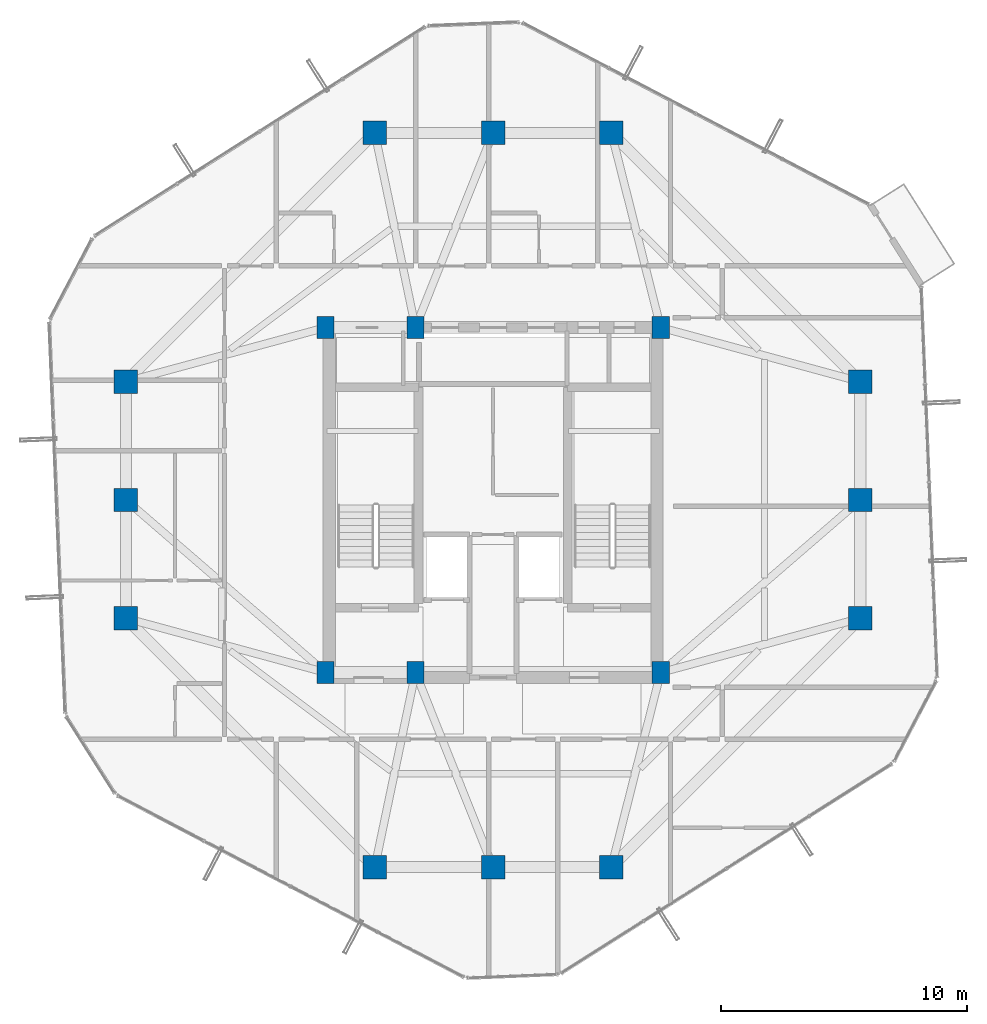
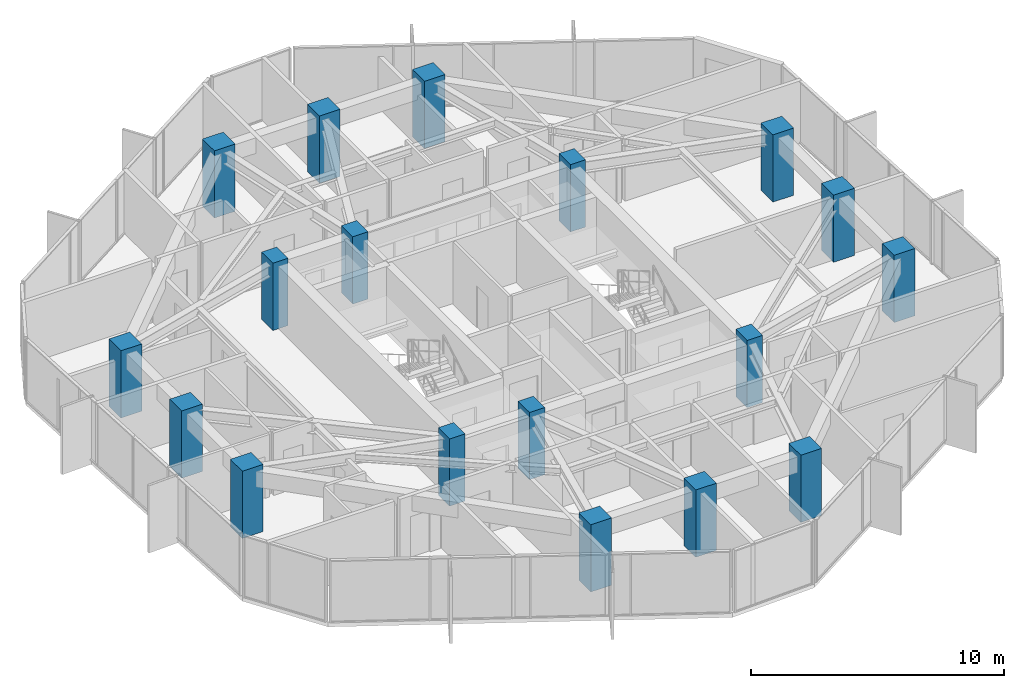
# One storey, part 1 of 33: 18 columns.
"""IFC4 building model written with IfcOpenShell, lengths in metres."""

from ifc_helpers import new_model, si_unit, direction, frame, origin, origin_2d, place, context, subcontext, project, spatial, rectangle, extrude, material, material_profile, profile_set, type_object, element, save


model = new_model("IFC4")

# Units and contexts
model_context = context("Model", 3, precision=1e-05, world=origin(), true_north=direction((0.0, 1.0)))
body_context = subcontext(model_context, "Body", "Model", "MODEL_VIEW")
ifc_project = project(units=[si_unit("LENGTHUNIT", "METRE"), si_unit("AREAUNIT", "SQUARE_METRE"), si_unit("VOLUMEUNIT", "CUBIC_METRE"), si_unit("PLANEANGLEUNIT", "RADIAN"), si_unit("MASSUNIT", "GRAM", prefix="KILO")], contexts=[model_context])

# Site, building, storey
site_placement = place(None, origin())
site = spatial("IfcSite", under=ifc_project, at=site_placement, CompositionType="ELEMENT")
building_placement = place(site_placement, origin())
building = spatial("IfcBuilding", under=site, at=building_placement, Name="Veraguas Prism Commons", CompositionType="ELEMENT")
storey_placement = place(building_placement, frame((0.0, 0.0, 198.35009765625)))
storey = spatial("IfcBuildingStorey", under=building, at=storey_placement, Name="L56", CompositionType="ELEMENT", Elevation=198.35009765625)

# Columns
ifc_material = material(Name="Concrete C50/60", Category="concrete")
ifc_material_profile_1 = material_profile(ifc_material, rectangle(XDim=0.949951171875, YDim=0.949951171875, at=origin_2d()), Name="RC950X950")
ifc_profile_set_1 = profile_set([ifc_material_profile_1], Name="Concrete C50/60")
column_type_1 = type_object("IfcColumnType", Name="Column Tube Z3 RC 950x950", PredefinedType="COLUMN", material=ifc_profile_set_1)
for number, where, z_axis, x_axis, name in (
    (1, (38.89990234375, 19.199951171875, 0.0), (0.0, 0.0, 1.0), (1.0, 0.0, 0.0), "Tower Perimeter Column L56-TB01"),
    (2, (38.89990234375, 24.0, 0.0), (0.0, 0.0, 1.0), (1.0, 0.0, 0.0), "Tower Perimeter Column L56-TB02"),
    (3, (38.89990234375, 28.800048828125, 0.0), (0.0, 0.0, 1.0), (1.0, 0.0, 0.0), "Tower Perimeter Column L56-TB03"),
    (4, (28.800048828125, 38.89990234375, 0.0), (0.0, 0.0, 1.0), (1.0, 0.0, 0.0), "Tower Perimeter Column L56-TB04"),
    (5, (24.0, 38.89990234375, 0.0), (0.0, 0.0, 1.0), (1.0, 0.0, 0.0), "Tower Perimeter Column L56-TB05"),
    (6, (19.199951171875, 38.89990234375, 0.0), (0.0, 0.0, 1.0), (1.0, 0.0, 0.0), "Tower Perimeter Column L56-TB06"),
    (7, (9.10009765625, 28.800048828125, 0.0), (0.0, 0.0, 1.0), (1.0, 0.0, 0.0), "Tower Perimeter Column L56-TB07"),
    (8, (9.10009765625, 24.0, 0.0), (0.0, 0.0, 1.0), (1.0, 0.0, 0.0), "Tower Perimeter Column L56-TB08"),
    (9, (9.10009765625, 19.199951171875, 0.0), (0.0, 0.0, 1.0), (1.0, 0.0, 0.0), "Tower Perimeter Column L56-TB09"),
    (10, (19.199951171875, 9.10009765625, 0.0), (0.0, 0.0, 1.0), (1.0, 0.0, 0.0), "Tower Perimeter Column L56-TB10"),
    (11, (24.0, 9.10009765625, 0.0), (0.0, 0.0, 1.0), (1.0, 0.0, 0.0), "Tower Perimeter Column L56-TB11"),
    (12, (28.800048828125, 9.10009765625, 0.0), (0.0, 0.0, 1.0), (1.0, 0.0, 0.0), "Tower Perimeter Column L56-TB12"),
):
    element("IfcColumn", number, at=place(storey_placement, frame(where, z_axis=z_axis, x_axis=x_axis)), inside=storey, type_object=column_type_1, Name=name, PredefinedType="COLUMN", context=body_context, shape_type="SweptSolid", body=[
        extrude(rectangle(XDim=0.949951171875, YDim=0.949951171875, at=origin_2d()), origin(), (0.0, 0.0, 1.0), 3.25),
    ])
ifc_material_profile_2 = material_profile(ifc_material, rectangle(XDim=0.699951171875, YDim=0.89990234375, at=origin_2d()), Name="RC700X900")
ifc_profile_set_2 = profile_set([ifc_material_profile_2], Name="Concrete C50/60")
column_type_2 = type_object("IfcColumnType", Name="Pilaster Core Upper RC 700x900", PredefinedType="PILASTER", material=ifc_profile_set_2)
for number, where, z_axis, x_axis, name in (
    (13, (17.199951171875, 17.0, 0.0), (0.0, 0.0, 1.0), (1.0, 0.0, 0.0), "Core Pilaster Column L56-CR1"),
    (14, (20.85009765625, 17.0, 0.0), (0.0, 0.0, 1.0), (1.0, 0.0, 0.0), "Core Pilaster Column L56-CR2"),
    (15, (30.800048828125, 17.0, 0.0), (0.0, 0.0, 1.0), (1.0, 0.0, 0.0), "Core Pilaster Column L56-CR3"),
    (16, (17.199951171875, 31.0, 0.0), (0.0, 0.0, 1.0), (1.0, 0.0, 0.0), "Core Pilaster Column L56-CR4"),
    (17, (20.85009765625, 31.0, 0.0), (0.0, 0.0, 1.0), (1.0, 0.0, 0.0), "Core Pilaster Column L56-CR5"),
    (18, (30.800048828125, 31.0, 0.0), (0.0, 0.0, 1.0), (1.0, 0.0, 0.0), "Core Pilaster Column L56-CR6"),
):
    element("IfcColumn", number, at=place(storey_placement, frame(where, z_axis=z_axis, x_axis=x_axis)), inside=storey, type_object=column_type_2, Name=name, PredefinedType="PILASTER", context=body_context, shape_type="SweptSolid", body=[
        extrude(rectangle(XDim=0.699951171875, YDim=0.89990234375, at=origin_2d()), origin(), (0.0, 0.0, 1.0), 3.25),
    ])

save(model, "model.ifc")
